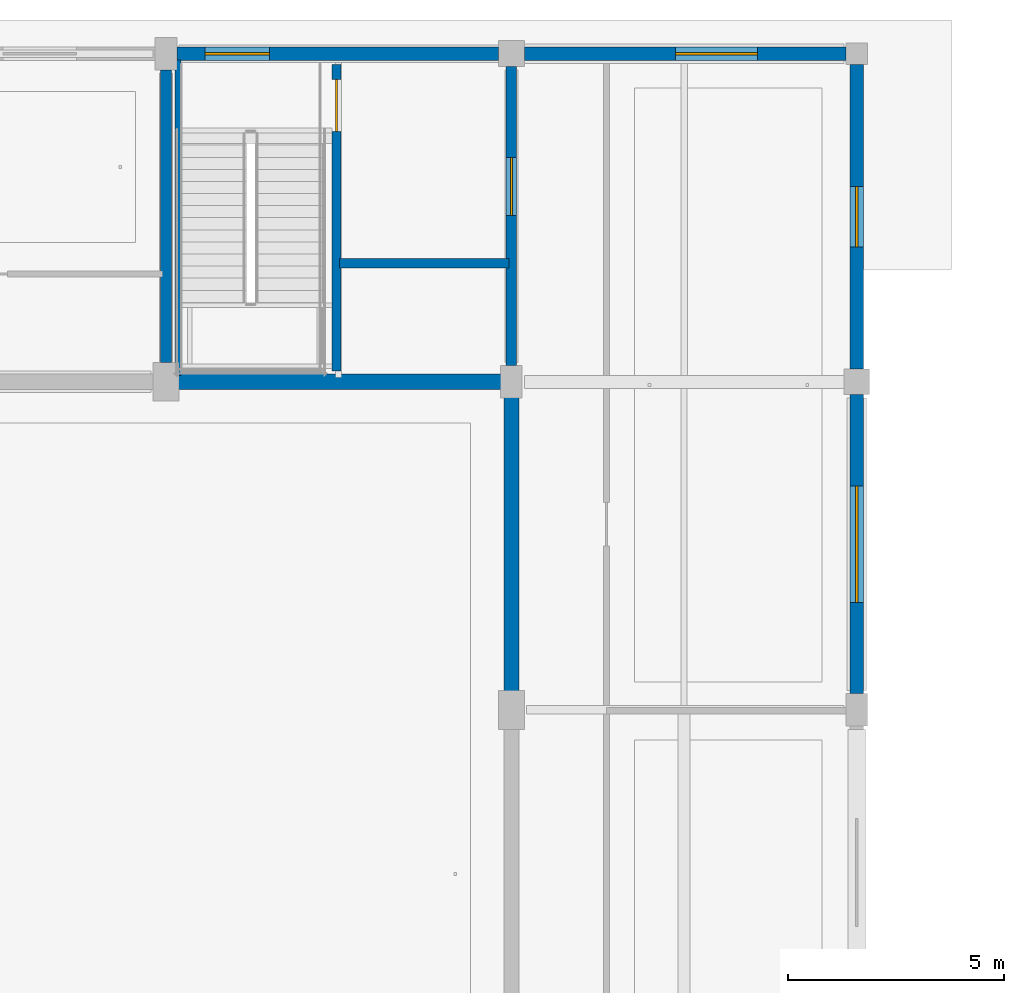
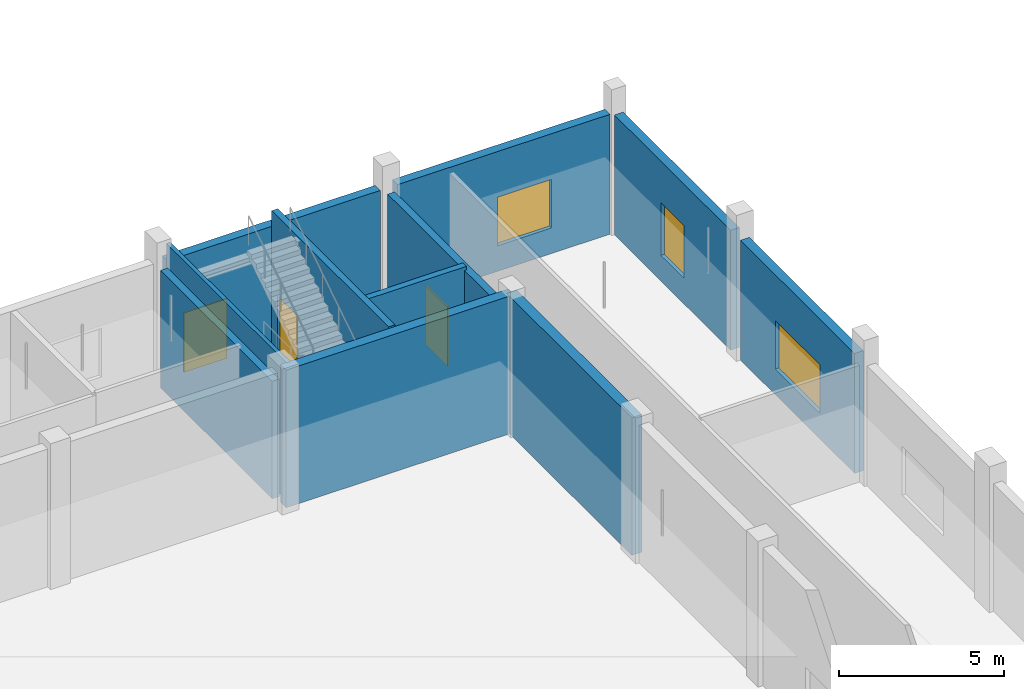
# One storey, part 66 of 126: 11 walls, 3 doors, 3 windows, 6 openings.
"""IFC4 building model written with IfcOpenShell, lengths in metres."""

from ifc_helpers import new_model, si_unit, direction, frame, frame_2d, origin, place, context, subcontext, project, spatial, rectangle, extrude, material, layer, layer_set, type_object, element, fill, save


model = new_model("IFC4")

# Units and contexts
model_context = context("Model", 3, precision=1e-05, world=origin(), true_north=direction((0.0, 1.0)))
body_context = subcontext(model_context, "Body", "Model", "MODEL_VIEW")
ifc_project = project(units=[si_unit("LENGTHUNIT", "METRE"), si_unit("AREAUNIT", "SQUARE_METRE"), si_unit("VOLUMEUNIT", "CUBIC_METRE"), si_unit("PLANEANGLEUNIT", "RADIAN"), si_unit("MASSUNIT", "GRAM", prefix="KILO")], contexts=[model_context])

# Site, building, storey
site_placement = place(None, origin())
site = spatial("IfcSite", under=ifc_project, at=site_placement, CompositionType="ELEMENT")
building_placement = place(site_placement, origin())
building = spatial("IfcBuilding", under=site, at=building_placement, Name="Khelvaren Railside Concert Hall", CompositionType="ELEMENT")
storey_placement = place(building_placement, origin())
storey = spatial("IfcBuildingStorey", under=building, at=storey_placement, Name="L00", CompositionType="ELEMENT", Elevation=0.0)

# Walls
ifc_material_1 = material(Name="Concrete C40/50", Category="concrete")
ifc_layer_1 = layer(ifc_material_1, 0.139892578125)
ifc_layer_set_1 = layer_set([ifc_layer_1], Name="Concrete C40/50")
wall_type_1 = type_object("IfcWallType", Name="CW17", PredefinedType="SOLIDWALL", material=ifc_layer_set_1)
wall_1_placement = place(storey_placement, frame((32.27490234375, 106.550048828125, 0.0), z_axis=(0.0, 0.0, 1.0), x_axis=(0.0, 1.0, 0.0)))
element("IfcWall", 1, at=wall_1_placement, inside=storey, type_object=wall_type_1, Name="Core Shaft Structural Liner Wall ST-08-L00", PredefinedType="SOLIDWALL", context=body_context, shape_type="SweptSolid", body=[
    extrude(rectangle(XDim=7.300048828125, YDim=0.139892578125, at=frame_2d((3.64990234375, 0.0))), origin(), (0.0, 0.0, 1.0), 5.10009765625),
])
ifc_layer_2 = layer(ifc_material_1, 0.25)
ifc_layer_set_2 = layer_set([ifc_layer_2], Name="Concrete C40/50")
wall_type_2 = type_object("IfcWallType", Name="CW82", PredefinedType="SOLIDWALL", material=ifc_layer_set_2)
wall_2_placement = place(storey_placement, frame((32.0, 106.85009765625, 0.0), z_axis=(0.0, 0.0, 1.0), x_axis=(0.0, 1.0, 0.0)))
element("IfcWall", 2, at=wall_2_placement, inside=storey, type_object=wall_type_2, Name="Core Enclosure Wall CWALL-ST-08-L00-W", PredefinedType="SOLIDWALL", context=body_context, shape_type="SweptSolid", body=[
    extrude(rectangle(XDim=6.77490234375, YDim=0.25, at=frame_2d((3.387451171875, 0.0))), origin(), (0.0, 0.0, 1.0), 4.35009765625),
])

# Wall, opening, door
wall_3_placement = place(storey_placement, frame((40.0, 106.77490234375, 0.0), z_axis=(0.0, 0.0, 1.0), x_axis=(0.0, 1.0, 0.0)))
wall_3 = element("IfcWall", 3, at=wall_3_placement, inside=storey, type_object=wall_type_2, Name="Core Enclosure Wall CWALL-ST-08-L00-E", PredefinedType="SOLIDWALL", context=body_context, shape_type="SweptSolid", body=[
    extrude(rectangle(XDim=6.925048828125, YDim=0.25, at=frame_2d((3.46240234375, 0.0))), origin(), (0.0, 0.0, 1.0), 4.324951171875),
])
opening_1_placement = place(wall_3_placement, frame((3.47509765625, 0.0, 0.0)))
opening_1 = element("IfcOpeningElement", 4, at=opening_1_placement, cuts=wall_3, Name="Opening FDR34", PredefinedType="OPENING", context=body_context, shape_type="SweptSolid", body=[
    extrude(rectangle(XDim=1.35009765625, YDim=2.199951171875, at=frame_2d((0.675048828125, 1.10009765625))), frame((0.0, 0.135009765625, 0.0), z_axis=(0.0, -1.0, 0.0), x_axis=(1.0, 0.0, 0.0)), (0.0, 0.0, 1.0), 0.27001953125),
])
ifc_material_2 = material(Name="Acoustic fire-rated timber-core steel frame door", Category="steel")
door_type_1 = type_object("IfcDoorType", Name="FDR34", OperationType="NOTDEFINED", PredefinedType="DOOR", material=ifc_material_2)
door_1_placement = place(opening_1_placement, origin())
door_1 = element("IfcDoor", 5, at=door_1_placement, inside=storey, type_object=door_type_1, Name="Interior Door DR-ST-08-L00-LOB", OperationType="SINGLE_SWING_LEFT", OverallHeight=2.199951171875, OverallWidth=1.35009765625, PredefinedType="DOOR", context=body_context, shape_type="SweptSolid", body=[
    extrude(rectangle(XDim=1.35009765625, YDim=2.199951171875, at=frame_2d((0.675048828125, 1.10009765625))), frame((0.0, 0.02490234375, 0.0), z_axis=(0.0, -1.0, 0.0), x_axis=(1.0, 0.0, 0.0)), (0.0, 0.0, 1.0), 0.050048828125),
])
fill(opening_1, door_1)

ifc_layer_3 = layer(ifc_material_1, 0.219970703125)
ifc_layer_set_3 = layer_set([ifc_layer_3], Name="Concrete C40/50")
wall_type_3 = type_object("IfcWallType", Name="CW97", PredefinedType="SOLIDWALL", material=ifc_layer_set_3)
wall_4_placement = place(storey_placement, frame((35.949951171875, 106.64990234375, 0.0), z_axis=(0.0, 0.0, 1.0), x_axis=(0.0, 1.0, 0.0)))
wall_4 = element("IfcWall", 6, at=wall_4_placement, inside=storey, type_object=wall_type_3, Name="Core Enclosure Wall CWALL-ST-08-L00-MID", PredefinedType="SOLIDWALL", context=body_context, shape_type="SweptSolid", body=[
    extrude(rectangle(XDim=7.10009765625, YDim=0.219970703125, at=frame_2d((3.550048828125, 0.0))), origin(), (0.0, 0.0, 1.0), 5.10009765625),
])
opening_2_placement = place(wall_4_placement, frame((5.550048828125, 0.0, 0.0)))
opening_2 = element("IfcOpeningElement", 7, at=opening_2_placement, cuts=wall_4, Name="Opening FDR17", PredefinedType="OPENING", context=body_context, shape_type="SweptSolid", body=[
    extrude(rectangle(XDim=1.199951171875, YDim=2.14990234375, at=frame_2d((0.60009765625, 1.074951171875))), frame((0.0, 0.119873046875, 0.0), z_axis=(0.0, -1.0, 0.0), x_axis=(1.0, 0.0, 0.0)), (0.0, 0.0, 1.0), 0.239990234375),
])
door_type_2 = type_object("IfcDoorType", Name="FDR17", OperationType="NOTDEFINED", PredefinedType="DOOR", material=ifc_material_2)
door_2_placement = place(opening_2_placement, origin())
door_2 = element("IfcDoor", 8, at=door_2_placement, inside=storey, type_object=door_type_2, Name="Interior Door DR-ST-08-L00-ST", OperationType="SINGLE_SWING_RIGHT", OverallHeight=2.14990234375, OverallWidth=1.199951171875, PredefinedType="DOOR", context=body_context, shape_type="SweptSolid", body=[
    extrude(rectangle(XDim=1.199951171875, YDim=2.14990234375, at=frame_2d((0.60009765625, 1.074951171875))), frame((0.0, 0.02490234375, 0.0), z_axis=(0.0, -1.0, 0.0), x_axis=(1.0, 0.0, 0.0)), (0.0, 0.0, 1.0), 0.050048828125),
])
fill(opening_2, door_2)

# Wall
wall_5_placement = place(storey_placement, frame((36.02001953125, 109.14990234375, 0.0), z_axis=(0.0, 0.0, 1.0), x_axis=(1.0, 0.0, 0.0)))
element("IfcWall", 9, at=wall_5_placement, inside=storey, type_object=wall_type_3, Name="Core Enclosure Wall CWALL-ST-08-L00-SHF", PredefinedType="SOLIDWALL", context=body_context, shape_type="SweptSolid", body=[
    extrude(rectangle(XDim=3.929931640625, YDim=0.219970703125, at=frame_2d((1.96484375, 0.0))), origin(), (0.0, 0.0, 1.0), 4.455078125),
])

# Wall, opening, door
ifc_material_3 = material(Name="Board-marked architectural concrete C40/50", Category="concrete")
ifc_layer_4 = layer(ifc_material_3, 0.31005859375)
ifc_layer_set_4 = layer_set([ifc_layer_4], Name="Board-marked architectural concrete C40/50")
wall_type_4 = type_object("IfcWallType", Name="EW33", PredefinedType="SOLIDWALL", material=ifc_layer_set_4)
wall_6_placement = place(storey_placement, frame((32.25, 114.0, 0.0), z_axis=(0.0, 0.0, 1.0), x_axis=(1.0, 0.0, 0.0)))
wall_6 = element("IfcWall", 10, at=wall_6_placement, inside=storey, type_object=wall_type_4, Name="V4 L00 Exterior Concrete Wall N-32", PredefinedType="SOLIDWALL", context=body_context, shape_type="SweptSolid", body=[
    extrude(rectangle(XDim=7.449951171875, YDim=0.31005859375, at=frame_2d((3.72509765625, 0.0))), origin(), (0.0, 0.0, 1.0), 4.43994140625),
])
opening_3_placement = place(wall_6_placement, frame((0.64990234375, 0.0, 0.0)))
opening_3 = element("IfcOpeningElement", 11, at=opening_3_placement, cuts=wall_6, Name="Opening E-ST08", PredefinedType="OPENING", context=body_context, shape_type="SweptSolid", body=[
    extrude(rectangle(XDim=1.5, YDim=2.199951171875, at=frame_2d((0.75, 1.10009765625))), frame((0.0, 0.1650390625, 0.0), z_axis=(0.0, -1.0, 0.0), x_axis=(1.0, 0.0, 0.0)), (0.0, 0.0, 1.0), 0.330078125),
])
ifc_material_4 = material(Name="Acoustic thermally broken steel exit door", Category="steel")
door_type_3 = type_object("IfcDoorType", Name="EDR82", OperationType="NOTDEFINED", PredefinedType="DOOR", material=ifc_material_4)
door_3_placement = place(opening_3_placement, origin())
door_3 = element("IfcDoor", 12, at=door_3_placement, inside=storey, type_object=door_type_3, Name="Final Stair Exit Door E-ST08", OperationType="SINGLE_SWING_LEFT", OverallHeight=2.199951171875, OverallWidth=1.5, PredefinedType="DOOR", context=body_context, shape_type="SweptSolid", body=[
    extrude(rectangle(XDim=1.5, YDim=2.199951171875, at=frame_2d((0.75, 1.10009765625))), frame((0.0, 0.02490234375, 0.0), z_axis=(0.0, -1.0, 0.0), x_axis=(1.0, 0.0, 0.0)), (0.0, 0.0, 1.0), 0.050048828125),
])
fill(opening_3, door_3)

# Wall, opening, window
wall_7_placement = place(storey_placement, frame((40.300048828125, 114.0, 0.0), z_axis=(0.0, 0.0, 1.0), x_axis=(1.0, 0.0, 0.0)))
wall_7 = element("IfcWall", 13, at=wall_7_placement, inside=storey, type_object=wall_type_4, Name="V4 L00 Exterior Concrete Wall N-40", PredefinedType="SOLIDWALL", context=body_context, shape_type="SweptSolid", body=[
    extrude(rectangle(XDim=7.449951171875, YDim=0.31005859375, at=frame_2d((3.72509765625, 0.0))), origin(), (0.0, 0.0, 1.0), 4.43994140625),
])
opening_4_placement = place(wall_7_placement, frame((3.5, 0.0, 0.949951171875)))
opening_4 = element("IfcOpeningElement", 14, at=opening_4_placement, cuts=wall_7, Name="Opening WN87", PredefinedType="OPENING", context=body_context, shape_type="SweptSolid", body=[
    extrude(rectangle(XDim=1.89990234375, YDim=1.800048828125, at=frame_2d((0.949951171875, 0.89990234375))), frame((0.0, 0.1650390625, 0.0), z_axis=(0.0, -1.0, 0.0), x_axis=(1.0, 0.0, 0.0)), (0.0, 0.0, 1.0), 0.330078125),
])
ifc_material_5 = material(Name="Triple-glazed acoustic aluminium window", Category="aluminium")
window_type_1 = type_object("IfcWindowType", Name="WN87", PartitioningType="DOUBLE_PANEL_VERTICAL", PredefinedType="WINDOW", material=ifc_material_5)
window_1_placement = place(opening_4_placement, origin())
window_1 = element("IfcWindow", 15, at=window_1_placement, inside=storey, type_object=window_type_1, Name="Acoustic Facade Window EW-V4-L00-N-40", OverallHeight=1.800048828125, OverallWidth=1.89990234375, PartitioningType="DOUBLE_PANEL_VERTICAL", PredefinedType="WINDOW", context=body_context, shape_type="SweptSolid", body=[
    extrude(rectangle(XDim=1.89990234375, YDim=1.800048828125, at=frame_2d((0.949951171875, 0.89990234375))), frame((0.0, 0.030029296875, 0.0), z_axis=(0.0, -1.0, 0.0), x_axis=(1.0, 0.0, 0.0)), (0.0, 0.0, 1.0), 0.06005859375),
])
fill(opening_4, window_1)

wall_8_placement = place(storey_placement, frame((48.0, 106.10009765625, 0.0), z_axis=(0.0, 0.0, 1.0), x_axis=(0.0, -1.0, 0.0)))
wall_8 = element("IfcWall", 16, at=wall_8_placement, inside=storey, type_object=wall_type_4, Name="V4 L00 Exterior Concrete Wall E-99", PredefinedType="SOLIDWALL", context=body_context, shape_type="SweptSolid", body=[
    extrude(rectangle(XDim=6.925048828125, YDim=0.31005859375, at=frame_2d((3.46240234375, 0.0))), origin(), (0.0, 0.0, 1.0), 4.43994140625),
])
opening_5_placement = place(wall_8_placement, frame((2.112548828125, 0.0, 0.949951171875)))
opening_5 = element("IfcOpeningElement", 17, at=opening_5_placement, cuts=wall_8, Name="Opening WN39", PredefinedType="OPENING", context=body_context, shape_type="SweptSolid", body=[
    extrude(rectangle(XDim=2.699951171875, YDim=1.800048828125, at=frame_2d((1.35009765625, 0.89990234375))), frame((0.0, 0.1650390625, 0.0), z_axis=(0.0, -1.0, 0.0), x_axis=(1.0, 0.0, 0.0)), (0.0, 0.0, 1.0), 0.330078125),
])
window_type_2 = type_object("IfcWindowType", Name="WN39", PartitioningType="DOUBLE_PANEL_VERTICAL", PredefinedType="WINDOW", material=ifc_material_5)
window_2_placement = place(opening_5_placement, origin())
window_2 = element("IfcWindow", 18, at=window_2_placement, inside=storey, type_object=window_type_2, Name="Acoustic Facade Window EW-V4-L00-E-99", OverallHeight=1.800048828125, OverallWidth=2.699951171875, PartitioningType="DOUBLE_PANEL_VERTICAL", PredefinedType="WINDOW", context=body_context, shape_type="SweptSolid", body=[
    extrude(rectangle(XDim=2.699951171875, YDim=1.800048828125, at=frame_2d((1.35009765625, 0.89990234375))), frame((0.0, 0.030029296875, 0.0), z_axis=(0.0, -1.0, 0.0), x_axis=(1.0, 0.0, 0.0)), (0.0, 0.0, 1.0), 0.06005859375),
])
fill(opening_5, window_2)

wall_9_placement = place(storey_placement, frame((48.0, 113.75, 0.0), z_axis=(0.0, 0.0, 1.0), x_axis=(0.0, -1.0, 0.0)))
wall_9 = element("IfcWall", 19, at=wall_9_placement, inside=storey, type_object=wall_type_4, Name="V4 L00 Exterior Concrete Wall E-106", PredefinedType="SOLIDWALL", context=body_context, shape_type="SweptSolid", body=[
    extrude(rectangle(XDim=7.050048828125, YDim=0.31005859375, at=frame_2d((3.52490234375, 0.0))), origin(), (0.0, 0.0, 1.0), 4.43994140625),
])
opening_6_placement = place(wall_9_placement, frame((2.824951171875, 0.0, 0.949951171875)))
opening_6 = element("IfcOpeningElement", 20, at=opening_6_placement, cuts=wall_9, Name="Opening WN97", PredefinedType="OPENING", context=body_context, shape_type="SweptSolid", body=[
    extrude(rectangle(XDim=1.39990234375, YDim=1.949951171875, at=frame_2d((0.699951171875, 0.97509765625))), frame((0.0, 0.1650390625, 0.0), z_axis=(0.0, -1.0, 0.0), x_axis=(1.0, 0.0, 0.0)), (0.0, 0.0, 1.0), 0.330078125),
])
window_type_3 = type_object("IfcWindowType", Name="WN97", PartitioningType="SINGLE_PANEL", PredefinedType="WINDOW", material=ifc_material_5)
window_3_placement = place(opening_6_placement, origin())
window_3 = element("IfcWindow", 21, at=window_3_placement, inside=storey, type_object=window_type_3, Name="Acoustic Facade Window EW-V4-L00-E-106", OverallHeight=1.949951171875, OverallWidth=1.39990234375, PartitioningType="SINGLE_PANEL", PredefinedType="WINDOW", context=body_context, shape_type="SweptSolid", body=[
    extrude(rectangle(XDim=1.39990234375, YDim=1.949951171875, at=frame_2d((0.699951171875, 0.97509765625))), frame((0.0, 0.030029296875, 0.0), z_axis=(0.0, -1.0, 0.0), x_axis=(1.0, 0.0, 0.0)), (0.0, 0.0, 1.0), 0.06005859375),
])
fill(opening_6, window_3)

# Walls
ifc_layer_5 = layer(ifc_material_1, 0.35009765625)
ifc_layer_set_5 = layer_set([ifc_layer_5], Name="Concrete C40/50")
wall_type_5 = type_object("IfcWallType", Name="SW91", PredefinedType="SHEAR", material=ifc_layer_set_5)
wall_10_placement = place(storey_placement, frame((32.0, 106.39990234375, 0.0), z_axis=(0.0, 0.0, 1.0), x_axis=(1.0, 0.0, 0.0)))
element("IfcWall", 22, at=wall_10_placement, inside=storey, type_object=wall_type_5, Name="V4 Chamber Box Shear Wall L00 N3", PredefinedType="SHEAR", context=body_context, shape_type="SweptSolid", body=[
    extrude(rectangle(XDim=8.0, YDim=0.35009765625, at=frame_2d((4.0, 0.0))), origin(), (0.0, 0.0, 1.0), 5.10009765625),
])
wall_11_placement = place(storey_placement, frame((40.0, 98.800048828125, 0.0), z_axis=(0.0, 0.0, 1.0), x_axis=(0.0, 1.0, 0.0)))
element("IfcWall", 23, at=wall_11_placement, inside=storey, type_object=wall_type_5, Name="V4 Chamber Box Shear Wall L00 E3", PredefinedType="SHEAR", context=body_context, shape_type="SweptSolid", body=[
    extrude(rectangle(XDim=7.599853515625, YDim=0.35009765625, at=frame_2d((3.7998046875, 0.0))), origin(), (0.0, 0.0, 1.0), 5.10009765625),
])

save(model, "model.ifc")
